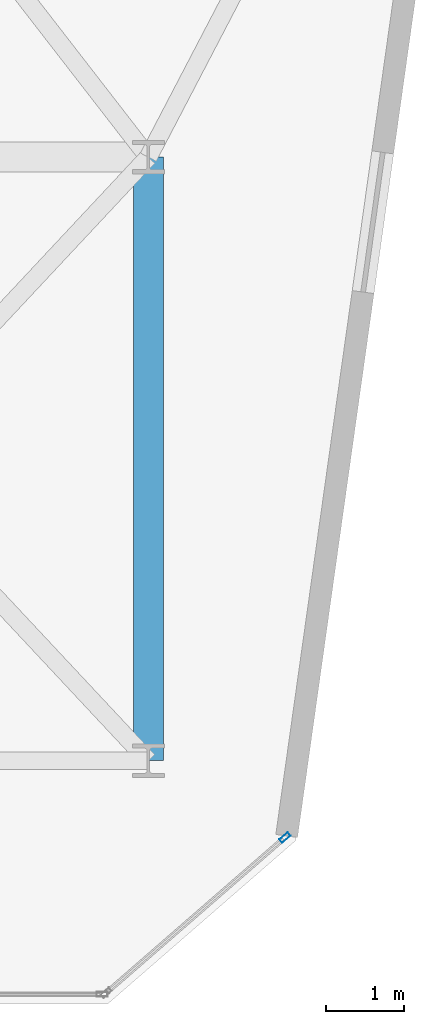
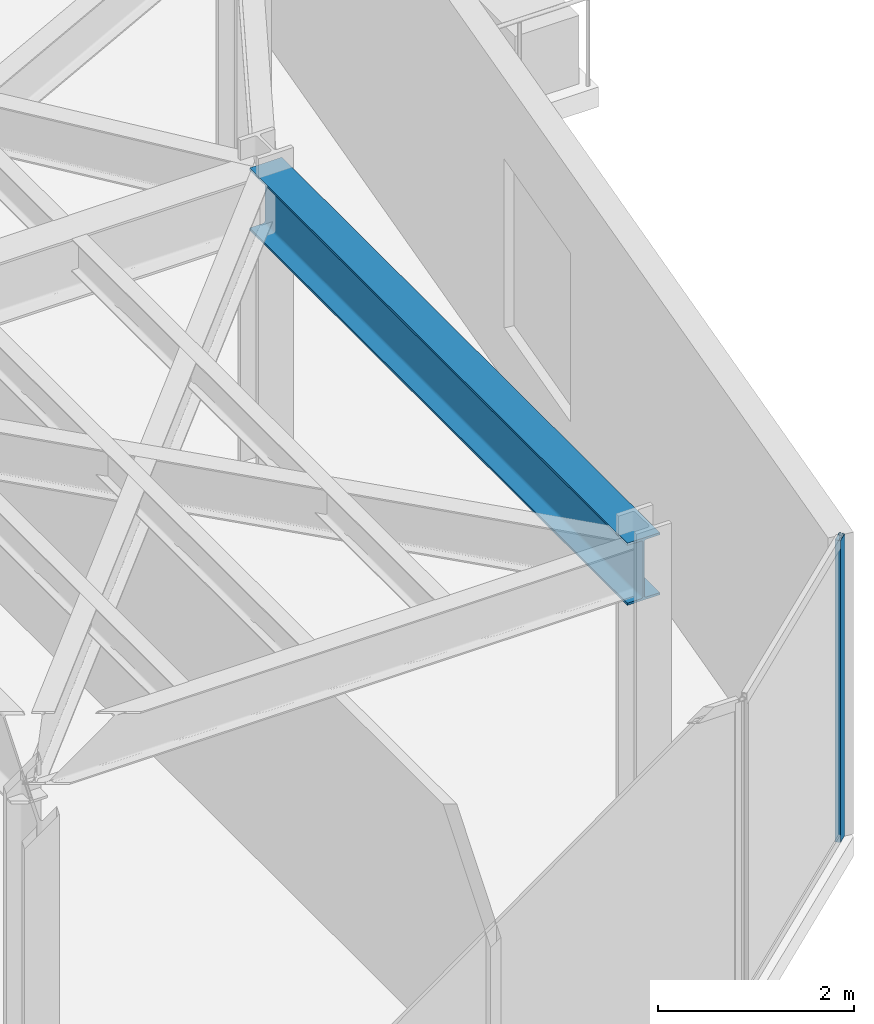
# One storey, part 14 of 21: 1 beam, 1 member, 1 element without a shape of its own.
"""IFC4 building model written with IfcOpenShell, lengths in metres."""

from ifc_helpers import new_model, si_unit, direction, frame, origin, origin_2d, place, context, subcontext, project, spatial, hollow_rectangle, i_section, extrude, material, layer, layer_set, material_profile, profile_set, type_object, element, aggregate, save


model = new_model("IFC4")

# Units and contexts
model_context = context("Model", 3, precision=1e-05, world=origin(), true_north=direction((0.0, 1.0)))
body_context = subcontext(model_context, "Body", "Model", "MODEL_VIEW")
ifc_project = project(units=[si_unit("LENGTHUNIT", "METRE"), si_unit("AREAUNIT", "SQUARE_METRE"), si_unit("VOLUMEUNIT", "CUBIC_METRE"), si_unit("PLANEANGLEUNIT", "RADIAN"), si_unit("MASSUNIT", "GRAM", prefix="KILO")], contexts=[model_context])

# Site, building, storey
site_placement = place(None, origin())
site = spatial("IfcSite", under=ifc_project, at=site_placement, CompositionType="ELEMENT")
building_placement = place(site_placement, origin())
building = spatial("IfcBuilding", under=site, at=building_placement, Name="Kravanh Interchange Tower", CompositionType="ELEMENT")
storey_placement = place(building_placement, frame((0.0, 0.0, 176.5)))
storey = spatial("IfcBuildingStorey", under=building, at=storey_placement, Name="L42", CompositionType="ELEMENT", Elevation=176.5)

# Curtain wall, member
ifc_material_1 = material(Name="Anodised Bronze Aluminium", Category="aluminium")
ifc_layer = layer(ifc_material_1, 0.179931640625)
ifc_layer_set = layer_set([ifc_layer], Name="Unitised Curtain Wall System CW-Z3 Upper Office")
curtain_wall_type = type_object("IfcCurtainWallType", Name="Unitised Curtain Wall System CW-Z3 Upper Office", PredefinedType="NOTDEFINED", material=ifc_layer_set)
curtain_wall_placement = place(storey_placement, origin())
curtain_wall = element("IfcCurtainWall", 1, at=curtain_wall_placement, inside=storey, type_object=curtain_wall_type, Name="L42 Unitised Curtain Wall CW-L42-01", PredefinedType="NOTDEFINED")
ifc_material_2 = material(Name="Anodised Bronze Aluminium", Category="aluminium")
ifc_material_profile_1 = material_profile(ifc_material_2, hollow_rectangle(XDim=0.06005859375, YDim=0.139892578125, WallThickness=0.00390625, at=origin_2d()), Name="ALU60X140X4")
ifc_profile_set_1 = profile_set([ifc_material_profile_1], Name="Anodised Bronze Aluminium")
member_type = type_object("IfcMemberType", Name="Curtain Wall Mullion ALU60X140X4 Bronze", PredefinedType="MULLION", material=ifc_profile_set_1)
member_placement = place(storey_placement, frame((64.94287109375, 13.52099609375, 0.0), z_axis=(0.0, 0.0, 1.0), x_axis=(0.65605090137, -0.754716645379, 0.0)))
member = element("IfcMember", 2, at=member_placement, type_object=member_type, Name="CW-Z3 mullion 1", PredefinedType="MULLION", context=body_context, shape_type="SweptSolid", body=[
    extrude(hollow_rectangle(XDim=0.06005859375, YDim=0.139892578125, WallThickness=0.00390625, at=origin_2d()), origin(), (0.0, 0.0, 1.0), 3.7548828125),
])
aggregate(curtain_wall, [member])

# Beam
ifc_material_3 = material(Name="Structural Steel S355", Category="steel")
ifc_material_profile_2 = material_profile(ifc_material_3, i_section(OverallWidth=0.381103515625, OverallDepth=0.77294921875, WebThickness=0.0166015625, FlangeThickness=0.027099609375, FilletRadius=0.02490234375, at=origin_2d()), Name="W30X173")
ifc_profile_set_2 = profile_set([ifc_material_profile_2], Name="Structural Steel S355")
beam_type = type_object("IfcBeamType", Name="Floor Beam W30X173 Structural Steel S355", PredefinedType="BEAM", material=ifc_profile_set_2)
beam_placement = place(storey_placement, frame((63.199951171875, 14.5, 3.368408203125), z_axis=(0.0, 1.0, 0.0), x_axis=(-1.0, 0.0, 0.0)))
element("IfcBeam", 3, at=beam_placement, inside=storey, type_object=beam_type, Name="L42 Primary Floor Girder 89", PredefinedType="BEAM", context=body_context, shape_type="SweptSolid", body=[
    extrude(i_section(OverallWidth=0.381103515625, OverallDepth=0.77294921875, WebThickness=0.0166015625, FlangeThickness=0.027099609375, FilletRadius=0.02490234375, at=origin_2d()), origin(), (0.0, 0.0, 1.0), 7.699951171875),
])

save(model, "model.ifc")
